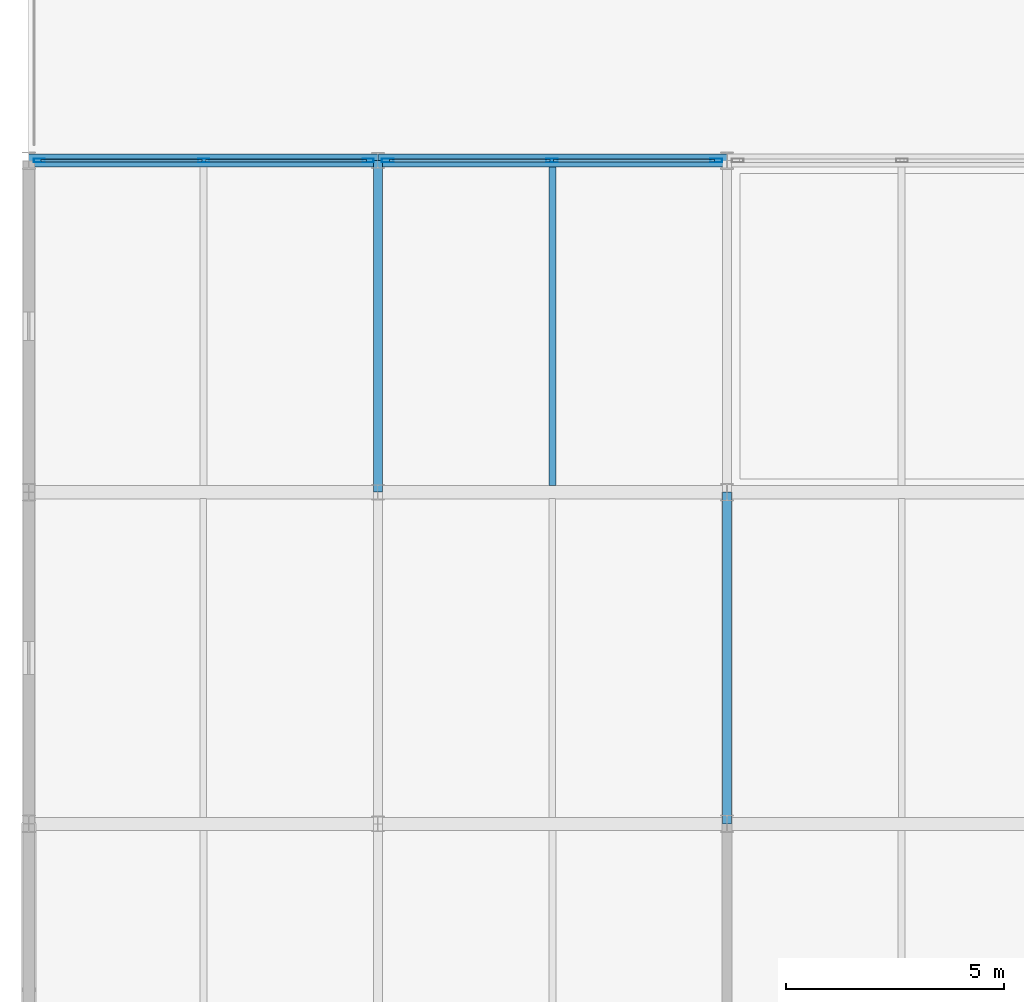
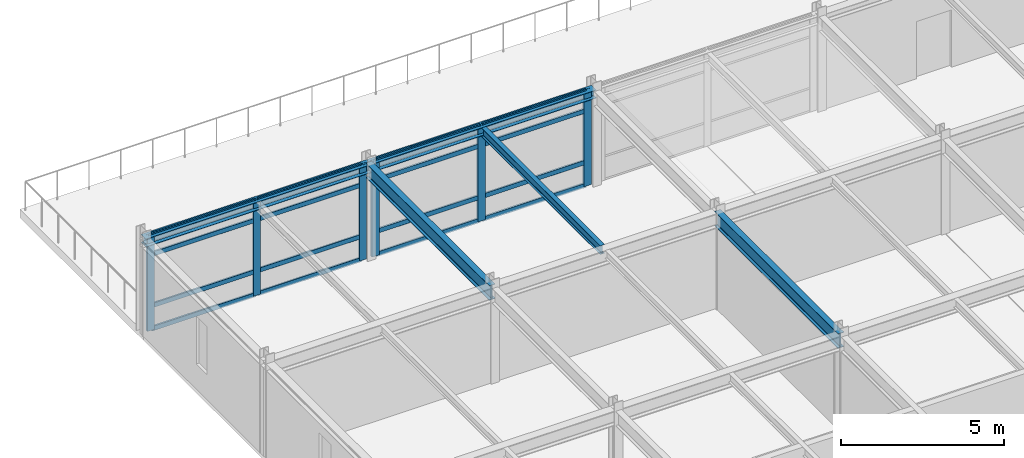
# One storey, part 4 of 12: 22 members, 5 beams, 2 elements without a shape of their own.
"""IFC4 building model written with IfcOpenShell, lengths in metres."""

from ifc_helpers import new_model, si_unit, direction, frame, origin, origin_2d, place, context, subcontext, project, spatial, hollow_rectangle, i_section, extrude, material, layer, layer_set, material_profile, profile_set, type_object, element, aggregate, save


model = new_model("IFC4")

# Units and contexts
model_context = context("Model", 3, precision=1e-05, world=origin(), true_north=direction((0.0, 1.0)))
body_context = subcontext(model_context, "Body", "Model", "MODEL_VIEW")
ifc_project = project(units=[si_unit("LENGTHUNIT", "METRE"), si_unit("AREAUNIT", "SQUARE_METRE"), si_unit("VOLUMEUNIT", "CUBIC_METRE"), si_unit("PLANEANGLEUNIT", "RADIAN"), si_unit("MASSUNIT", "GRAM", prefix="KILO")], contexts=[model_context])

# Site, building, storey
site_placement = place(None, origin())
site = spatial("IfcSite", under=ifc_project, at=site_placement, CompositionType="ELEMENT")
building_placement = place(site_placement, origin())
building = spatial("IfcBuilding", under=site, at=building_placement, Name="Shalkamar Park Central Library", CompositionType="ELEMENT")
storey_placement = place(building_placement, frame((0.0, 0.0, 56.10009765625)))
storey = spatial("IfcBuildingStorey", under=building, at=storey_placement, Name="L14", CompositionType="ELEMENT", Elevation=56.10009765625)

# Beam
ifc_material_1 = material(Name="Steel S355", Category="steel")
ifc_material_profile_1 = material_profile(ifc_material_1, i_section(OverallWidth=0.159912109375, OverallDepth=0.330078125, WebThickness=0.007568359375, FlangeThickness=0.011474609375, FilletRadius=0.01806640625, at=origin_2d()), Name="IPE 330")
ifc_profile_set_1 = profile_set([ifc_material_profile_1], Name="Steel S355")
beam_type_1 = type_object("IfcBeamType", Name="Composite Floor Joist IPE330", PredefinedType="JOIST", material=ifc_profile_set_1)
beam_1_placement = place(storey_placement, frame((177.0, 270.548095703125, 3.414794921875), z_axis=(0.0, 1.0, 0.0), x_axis=(-1.0, 0.0, 0.0)))
element("IfcBeam", 1, at=beam_1_placement, inside=storey, type_object=beam_type_1, Name="Composite Joist 08/E-1 (L14)", PredefinedType="JOIST", context=body_context, shape_type="SweptSolid", body=[
    extrude(i_section(OverallWidth=0.159912109375, OverallDepth=0.330078125, WebThickness=0.007568359375, FlangeThickness=0.011474609375, FilletRadius=0.01806640625, at=origin_2d()), origin(), (0.0, 0.0, 1.0), 7.303955078125),
])

# Curtain wall, members
ifc_material_2 = material(Name="Thermally broken aluminium and triple low-e curtain wall", Category="aluminium")
ifc_layer_1 = layer(ifc_material_2, 0.2548828125)
ifc_layer_set_1 = layer_set([ifc_layer_1], Name="UnitisedCurtainWall_97")
curtain_wall_type_1 = type_object("IfcCurtainWallType", Name="Unitised Curtain Wall 97", PredefinedType="USERDEFINED", material=ifc_layer_set_1)
curtain_wall_1_placement = place(storey_placement, origin())
curtain_wall_1 = element("IfcCurtainWall", 2, at=curtain_wall_1_placement, inside=storey, type_object=curtain_wall_type_1, Name="Unitised Curtain Wall CW-L14-151", ObjectType="UNITISED CURTAIN WALL", PredefinedType="USERDEFINED")
ifc_material_3 = material(Name="Aluminium 6060-T66", Category="aluminium")
ifc_material_profile_2 = material_profile(ifc_material_3, hollow_rectangle(XDim=0.080078125, YDim=0.2548828125, WallThickness=0.00439453125, InnerFilletRadius=0.00439453125, OuterFilletRadius=0.0068359375, at=origin_2d()), Name="ALU 80x255x4.5")
ifc_profile_set_2 = profile_set([ifc_material_profile_2], Name="Aluminium 6060-T66")
member_type_1 = type_object("IfcMemberType", Name="Curtain Wall Mullion ALU80x255", PredefinedType="MULLION", material=ifc_profile_set_2)
member_1_placement = place(storey_placement, frame((165.243896484375, 278.0, 0.0), z_axis=(0.0, 0.0, 1.0), x_axis=(0.0, 1.0, 0.0)))
member_1 = element("IfcMember", 3, at=member_1_placement, type_object=member_type_1, Name="CW-97 mullion 1", PredefinedType="MULLION", context=body_context, shape_type="SweptSolid", body=[
    extrude(hollow_rectangle(XDim=0.080078125, YDim=0.2548828125, WallThickness=0.00439453125, InnerFilletRadius=0.00439453125, OuterFilletRadius=0.0068359375, at=origin_2d()), origin(), (0.0, 0.0, 1.0), 3.579833984375),
])
member_2_placement = place(storey_placement, frame((169.010009765625, 278.0, 0.0), z_axis=(0.0, 0.0, 1.0), x_axis=(0.0, 1.0, 0.0)))
member_2 = element("IfcMember", 4, at=member_2_placement, type_object=member_type_1, Name="CW-97 mullion 2", PredefinedType="MULLION", context=body_context, shape_type="SweptSolid", body=[
    extrude(hollow_rectangle(XDim=0.080078125, YDim=0.2548828125, WallThickness=0.00439453125, InnerFilletRadius=0.00439453125, OuterFilletRadius=0.0068359375, at=origin_2d()), origin(), (0.0, 0.0, 1.0), 3.579833984375),
])
member_3_placement = place(storey_placement, frame((172.77587890625, 278.0, 0.0), z_axis=(0.0, 0.0, 1.0), x_axis=(0.0, 1.0, 0.0)))
member_3 = element("IfcMember", 5, at=member_3_placement, type_object=member_type_1, Name="CW-97 mullion 3", PredefinedType="MULLION", context=body_context, shape_type="SweptSolid", body=[
    extrude(hollow_rectangle(XDim=0.080078125, YDim=0.2548828125, WallThickness=0.00439453125, InnerFilletRadius=0.00439453125, OuterFilletRadius=0.0068359375, at=origin_2d()), origin(), (0.0, 0.0, 1.0), 3.579833984375),
])

ifc_layer_2 = layer(ifc_material_2, 0.27001953125)
ifc_layer_set_2 = layer_set([ifc_layer_2], Name="UnitisedCurtainWall_98")
curtain_wall_type_2 = type_object("IfcCurtainWallType", Name="Unitised Curtain Wall 98", PredefinedType="USERDEFINED", material=ifc_layer_set_2)
curtain_wall_2_placement = place(storey_placement, origin())
curtain_wall_2 = element("IfcCurtainWall", 6, at=curtain_wall_2_placement, inside=storey, type_object=curtain_wall_type_2, Name="Unitised Curtain Wall CW-L14-152", ObjectType="UNITISED CURTAIN WALL", PredefinedType="USERDEFINED")
ifc_material_profile_3 = material_profile(ifc_material_3, hollow_rectangle(XDim=0.080078125, YDim=0.27001953125, WallThickness=0.0048828125, InnerFilletRadius=0.0048828125, OuterFilletRadius=0.007568359375, at=origin_2d()), Name="ALU 80x270x5")
ifc_profile_set_3 = profile_set([ifc_material_profile_3], Name="Aluminium 6060-T66")
member_type_2 = type_object("IfcMemberType", Name="Curtain Wall Mullion ALU80x270", PredefinedType="MULLION", material=ifc_profile_set_3)
member_4_placement = place(storey_placement, frame((173.22412109375, 278.0, 0.0), z_axis=(0.0, 0.0, 1.0), x_axis=(0.0, 1.0, 0.0)))
member_4 = element("IfcMember", 7, at=member_4_placement, type_object=member_type_2, Name="CW-98 mullion 1", PredefinedType="MULLION", context=body_context, shape_type="SweptSolid", body=[
    extrude(hollow_rectangle(XDim=0.080078125, YDim=0.27001953125, WallThickness=0.0048828125, InnerFilletRadius=0.0048828125, OuterFilletRadius=0.007568359375, at=origin_2d()), origin(), (0.0, 0.0, 1.0), 3.579833984375),
])
member_5_placement = place(storey_placement, frame((176.989990234375, 278.0, 0.0), z_axis=(0.0, 0.0, 1.0), x_axis=(0.0, 1.0, 0.0)))
member_5 = element("IfcMember", 8, at=member_5_placement, type_object=member_type_2, Name="CW-98 mullion 2", PredefinedType="MULLION", context=body_context, shape_type="SweptSolid", body=[
    extrude(hollow_rectangle(XDim=0.080078125, YDim=0.27001953125, WallThickness=0.0048828125, InnerFilletRadius=0.0048828125, OuterFilletRadius=0.007568359375, at=origin_2d()), origin(), (0.0, 0.0, 1.0), 3.579833984375),
])
member_6_placement = place(storey_placement, frame((180.756103515625, 278.0, 0.0), z_axis=(0.0, 0.0, 1.0), x_axis=(0.0, 1.0, 0.0)))
member_6 = element("IfcMember", 9, at=member_6_placement, type_object=member_type_2, Name="CW-98 mullion 3", PredefinedType="MULLION", context=body_context, shape_type="SweptSolid", body=[
    extrude(hollow_rectangle(XDim=0.080078125, YDim=0.27001953125, WallThickness=0.0048828125, InnerFilletRadius=0.0048828125, OuterFilletRadius=0.007568359375, at=origin_2d()), origin(), (0.0, 0.0, 1.0), 3.579833984375),
])

# Member
ifc_material_profile_4 = material_profile(ifc_material_3, hollow_rectangle(XDim=0.06494140625, YDim=0.169921875, WallThickness=0.00390625, InnerFilletRadius=0.00390625, OuterFilletRadius=0.006103515625, at=origin_2d()), Name="ALU 65x170x4")
ifc_profile_set_4 = profile_set([ifc_material_profile_4], Name="Aluminium 6060-T66")
member_type_3 = type_object("IfcMemberType", Name="Curtain Wall Transom ALU65x170", PredefinedType="USERDEFINED", material=ifc_profile_set_4)
member_7_placement = place(storey_placement, frame((165.283935546875, 278.0, 0.032470703125), z_axis=(1.0, 0.0, 0.0), x_axis=(0.0, 1.0, 0.0)))
member_7 = element("IfcMember", 10, at=member_7_placement, type_object=member_type_3, Name="CW-97 transom 1.1", ObjectType="TRANSOM", PredefinedType="USERDEFINED", context=body_context, shape_type="SweptSolid", body=[
    extrude(hollow_rectangle(XDim=0.06494140625, YDim=0.169921875, WallThickness=0.00390625, InnerFilletRadius=0.00390625, OuterFilletRadius=0.006103515625, at=origin_2d()), origin(), (0.0, 0.0, 1.0), 3.68603515625),
])

member_8_placement = place(storey_placement, frame((165.283935546875, 278.0, 0.89990234375), z_axis=(1.0, 0.0, 0.0), x_axis=(0.0, 1.0, 0.0)))
member_8 = element("IfcMember", 11, at=member_8_placement, type_object=member_type_3, Name="CW-97 transom 1.2", ObjectType="TRANSOM", PredefinedType="USERDEFINED", context=body_context, shape_type="SweptSolid", body=[
    extrude(hollow_rectangle(XDim=0.06494140625, YDim=0.169921875, WallThickness=0.00390625, InnerFilletRadius=0.00390625, OuterFilletRadius=0.006103515625, at=origin_2d()), origin(), (0.0, 0.0, 1.0), 3.68603515625),
])

member_9_placement = place(storey_placement, frame((165.283935546875, 278.0, 2.829833984375), z_axis=(1.0, 0.0, 0.0), x_axis=(0.0, 1.0, 0.0)))
member_9 = element("IfcMember", 12, at=member_9_placement, type_object=member_type_3, Name="CW-97 transom 1.3", ObjectType="TRANSOM", PredefinedType="USERDEFINED", context=body_context, shape_type="SweptSolid", body=[
    extrude(hollow_rectangle(XDim=0.06494140625, YDim=0.169921875, WallThickness=0.00390625, InnerFilletRadius=0.00390625, OuterFilletRadius=0.006103515625, at=origin_2d()), origin(), (0.0, 0.0, 1.0), 3.68603515625),
])

member_10_placement = place(storey_placement, frame((165.283935546875, 278.0, 3.54736328125), z_axis=(1.0, 0.0, 0.0), x_axis=(0.0, 1.0, 0.0)))
member_10 = element("IfcMember", 13, at=member_10_placement, type_object=member_type_3, Name="CW-97 transom 1.4", ObjectType="TRANSOM", PredefinedType="USERDEFINED", context=body_context, shape_type="SweptSolid", body=[
    extrude(hollow_rectangle(XDim=0.06494140625, YDim=0.169921875, WallThickness=0.00390625, InnerFilletRadius=0.00390625, OuterFilletRadius=0.006103515625, at=origin_2d()), origin(), (0.0, 0.0, 1.0), 3.68603515625),
])

member_11_placement = place(storey_placement, frame((169.050048828125, 278.0, 0.032470703125), z_axis=(1.0, 0.0, 0.0), x_axis=(0.0, 1.0, 0.0)))
member_11 = element("IfcMember", 14, at=member_11_placement, type_object=member_type_3, Name="CW-97 transom 2.1", ObjectType="TRANSOM", PredefinedType="USERDEFINED", context=body_context, shape_type="SweptSolid", body=[
    extrude(hollow_rectangle(XDim=0.06494140625, YDim=0.169921875, WallThickness=0.00390625, InnerFilletRadius=0.00390625, OuterFilletRadius=0.006103515625, at=origin_2d()), origin(), (0.0, 0.0, 1.0), 3.68603515625),
])

member_12_placement = place(storey_placement, frame((169.050048828125, 278.0, 0.89990234375), z_axis=(1.0, 0.0, 0.0), x_axis=(0.0, 1.0, 0.0)))
member_12 = element("IfcMember", 15, at=member_12_placement, type_object=member_type_3, Name="CW-97 transom 2.2", ObjectType="TRANSOM", PredefinedType="USERDEFINED", context=body_context, shape_type="SweptSolid", body=[
    extrude(hollow_rectangle(XDim=0.06494140625, YDim=0.169921875, WallThickness=0.00390625, InnerFilletRadius=0.00390625, OuterFilletRadius=0.006103515625, at=origin_2d()), origin(), (0.0, 0.0, 1.0), 3.68603515625),
])

member_13_placement = place(storey_placement, frame((169.050048828125, 278.0, 2.829833984375), z_axis=(1.0, 0.0, 0.0), x_axis=(0.0, 1.0, 0.0)))
member_13 = element("IfcMember", 16, at=member_13_placement, type_object=member_type_3, Name="CW-97 transom 2.3", ObjectType="TRANSOM", PredefinedType="USERDEFINED", context=body_context, shape_type="SweptSolid", body=[
    extrude(hollow_rectangle(XDim=0.06494140625, YDim=0.169921875, WallThickness=0.00390625, InnerFilletRadius=0.00390625, OuterFilletRadius=0.006103515625, at=origin_2d()), origin(), (0.0, 0.0, 1.0), 3.68603515625),
])

member_14_placement = place(storey_placement, frame((169.050048828125, 278.0, 3.54736328125), z_axis=(1.0, 0.0, 0.0), x_axis=(0.0, 1.0, 0.0)))
member_14 = element("IfcMember", 17, at=member_14_placement, type_object=member_type_3, Name="CW-97 transom 2.4", ObjectType="TRANSOM", PredefinedType="USERDEFINED", context=body_context, shape_type="SweptSolid", body=[
    extrude(hollow_rectangle(XDim=0.06494140625, YDim=0.169921875, WallThickness=0.00390625, InnerFilletRadius=0.00390625, OuterFilletRadius=0.006103515625, at=origin_2d()), origin(), (0.0, 0.0, 1.0), 3.68603515625),
])

aggregate(curtain_wall_1, [member_1, member_2, member_3, member_7, member_8, member_9, member_10, member_11, member_12, member_13, member_14])

ifc_material_profile_5 = material_profile(ifc_material_3, hollow_rectangle(XDim=0.06494140625, YDim=0.175048828125, WallThickness=0.00439453125, InnerFilletRadius=0.00439453125, OuterFilletRadius=0.0068359375, at=origin_2d()), Name="ALU 65x175x4.5")
ifc_profile_set_5 = profile_set([ifc_material_profile_5], Name="Aluminium 6060-T66")
member_type_4 = type_object("IfcMemberType", Name="Curtain Wall Transom ALU65x175", PredefinedType="USERDEFINED", material=ifc_profile_set_5)
member_15_placement = place(storey_placement, frame((173.263916015625, 278.0, 0.032470703125), z_axis=(1.0, 0.0, 0.0), x_axis=(0.0, 1.0, 0.0)))
member_15 = element("IfcMember", 18, at=member_15_placement, type_object=member_type_4, Name="CW-98 transom 1.1", ObjectType="TRANSOM", PredefinedType="USERDEFINED", context=body_context, shape_type="SweptSolid", body=[
    extrude(hollow_rectangle(XDim=0.06494140625, YDim=0.175048828125, WallThickness=0.00439453125, InnerFilletRadius=0.00439453125, OuterFilletRadius=0.0068359375, at=origin_2d()), origin(), (0.0, 0.0, 1.0), 3.68603515625),
])

member_16_placement = place(storey_placement, frame((173.263916015625, 278.0, 0.89990234375), z_axis=(1.0, 0.0, 0.0), x_axis=(0.0, 1.0, 0.0)))
member_16 = element("IfcMember", 19, at=member_16_placement, type_object=member_type_4, Name="CW-98 transom 1.2", ObjectType="TRANSOM", PredefinedType="USERDEFINED", context=body_context, shape_type="SweptSolid", body=[
    extrude(hollow_rectangle(XDim=0.06494140625, YDim=0.175048828125, WallThickness=0.00439453125, InnerFilletRadius=0.00439453125, OuterFilletRadius=0.0068359375, at=origin_2d()), origin(), (0.0, 0.0, 1.0), 3.68603515625),
])

member_17_placement = place(storey_placement, frame((173.263916015625, 278.0, 2.829833984375), z_axis=(1.0, 0.0, 0.0), x_axis=(0.0, 1.0, 0.0)))
member_17 = element("IfcMember", 20, at=member_17_placement, type_object=member_type_4, Name="CW-98 transom 1.3", ObjectType="TRANSOM", PredefinedType="USERDEFINED", context=body_context, shape_type="SweptSolid", body=[
    extrude(hollow_rectangle(XDim=0.06494140625, YDim=0.175048828125, WallThickness=0.00439453125, InnerFilletRadius=0.00439453125, OuterFilletRadius=0.0068359375, at=origin_2d()), origin(), (0.0, 0.0, 1.0), 3.68603515625),
])

member_18_placement = place(storey_placement, frame((173.263916015625, 278.0, 3.54736328125), z_axis=(1.0, 0.0, 0.0), x_axis=(0.0, 1.0, 0.0)))
member_18 = element("IfcMember", 21, at=member_18_placement, type_object=member_type_4, Name="CW-98 transom 1.4", ObjectType="TRANSOM", PredefinedType="USERDEFINED", context=body_context, shape_type="SweptSolid", body=[
    extrude(hollow_rectangle(XDim=0.06494140625, YDim=0.175048828125, WallThickness=0.00439453125, InnerFilletRadius=0.00439453125, OuterFilletRadius=0.0068359375, at=origin_2d()), origin(), (0.0, 0.0, 1.0), 3.68603515625),
])

member_19_placement = place(storey_placement, frame((177.030029296875, 278.0, 0.032470703125), z_axis=(1.0, 0.0, 0.0), x_axis=(0.0, 1.0, 0.0)))
member_19 = element("IfcMember", 22, at=member_19_placement, type_object=member_type_4, Name="CW-98 transom 2.1", ObjectType="TRANSOM", PredefinedType="USERDEFINED", context=body_context, shape_type="SweptSolid", body=[
    extrude(hollow_rectangle(XDim=0.06494140625, YDim=0.175048828125, WallThickness=0.00439453125, InnerFilletRadius=0.00439453125, OuterFilletRadius=0.0068359375, at=origin_2d()), origin(), (0.0, 0.0, 1.0), 3.68603515625),
])

member_20_placement = place(storey_placement, frame((177.030029296875, 278.0, 0.89990234375), z_axis=(1.0, 0.0, 0.0), x_axis=(0.0, 1.0, 0.0)))
member_20 = element("IfcMember", 23, at=member_20_placement, type_object=member_type_4, Name="CW-98 transom 2.2", ObjectType="TRANSOM", PredefinedType="USERDEFINED", context=body_context, shape_type="SweptSolid", body=[
    extrude(hollow_rectangle(XDim=0.06494140625, YDim=0.175048828125, WallThickness=0.00439453125, InnerFilletRadius=0.00439453125, OuterFilletRadius=0.0068359375, at=origin_2d()), origin(), (0.0, 0.0, 1.0), 3.68603515625),
])

member_21_placement = place(storey_placement, frame((177.030029296875, 278.0, 2.829833984375), z_axis=(1.0, 0.0, 0.0), x_axis=(0.0, 1.0, 0.0)))
member_21 = element("IfcMember", 24, at=member_21_placement, type_object=member_type_4, Name="CW-98 transom 2.3", ObjectType="TRANSOM", PredefinedType="USERDEFINED", context=body_context, shape_type="SweptSolid", body=[
    extrude(hollow_rectangle(XDim=0.06494140625, YDim=0.175048828125, WallThickness=0.00439453125, InnerFilletRadius=0.00439453125, OuterFilletRadius=0.0068359375, at=origin_2d()), origin(), (0.0, 0.0, 1.0), 3.68603515625),
])

member_22_placement = place(storey_placement, frame((177.030029296875, 278.0, 3.54736328125), z_axis=(1.0, 0.0, 0.0), x_axis=(0.0, 1.0, 0.0)))
member_22 = element("IfcMember", 25, at=member_22_placement, type_object=member_type_4, Name="CW-98 transom 2.4", ObjectType="TRANSOM", PredefinedType="USERDEFINED", context=body_context, shape_type="SweptSolid", body=[
    extrude(hollow_rectangle(XDim=0.06494140625, YDim=0.175048828125, WallThickness=0.00439453125, InnerFilletRadius=0.00439453125, OuterFilletRadius=0.0068359375, at=origin_2d()), origin(), (0.0, 0.0, 1.0), 3.68603515625),
])

aggregate(curtain_wall_2, [member_4, member_5, member_6, member_15, member_16, member_17, member_18, member_19, member_20, member_21, member_22])

# Beams
ifc_material_profile_6 = material_profile(ifc_material_1, i_section(OverallWidth=0.300048828125, OverallDepth=0.31005859375, WebThickness=0.009033203125, FlangeThickness=0.015380859375, FilletRadius=0.027099609375, at=origin_2d()), Name="HEA 320")
ifc_profile_set_6 = profile_set([ifc_material_profile_6], Name="Steel S355")
beam_type_2 = type_object("IfcBeamType", Name="Perimeter Spandrel Beam HEA320", PredefinedType="SPANDREL", material=ifc_profile_set_6)
for number, where, z_axis, x_axis, name in (
    (26, (165.0, 278.0, 3.4248046875), (1.0, 0.0, 0.0), (0.0, 1.0, 0.0), "Beam F:07-08 (L14)"),
    (27, (173.0, 278.0, 3.4248046875), (1.0, 0.0, 0.0), (0.0, 1.0, 0.0), "Beam F:08-09 (L14)"),
):
    element("IfcBeam", number, at=place(storey_placement, frame(where, z_axis=z_axis, x_axis=x_axis)), inside=storey, type_object=beam_type_2, Name=name, PredefinedType="SPANDREL", context=body_context, shape_type="SweptSolid", body=[
        extrude(i_section(OverallWidth=0.300048828125, OverallDepth=0.31005859375, WebThickness=0.009033203125, FlangeThickness=0.015380859375, FilletRadius=0.027099609375, at=origin_2d()), origin(), (0.0, 0.0, 1.0), 8.0),
    ])
ifc_material_profile_7 = material_profile(ifc_material_1, i_section(OverallWidth=0.2099609375, OverallDepth=0.550048828125, WebThickness=0.010986328125, FlangeThickness=0.01708984375, FilletRadius=0.02392578125, at=origin_2d()), Name="IPE 550")
ifc_profile_set_7 = profile_set([ifc_material_profile_7], Name="Steel S355")
beam_type_3 = type_object("IfcBeamType", Name="Primary Girder IPE550", PredefinedType="BEAM", material=ifc_profile_set_7)
beam_2_placement = place(storey_placement, frame((173.0, 270.39990234375, 3.304931640625), z_axis=(0.0, 1.0, 0.0), x_axis=(-1.0, 0.0, 0.0)))
element("IfcBeam", 28, at=beam_2_placement, inside=storey, type_object=beam_type_3, Name="Beam 08:E-F (L14)", PredefinedType="BEAM", context=body_context, shape_type="SweptSolid", body=[
    extrude(i_section(OverallWidth=0.2099609375, OverallDepth=0.550048828125, WebThickness=0.010986328125, FlangeThickness=0.01708984375, FilletRadius=0.02392578125, at=origin_2d()), origin(), (0.0, 0.0, 1.0), 7.60009765625),
])
beam_3_placement = place(storey_placement, frame((181.0, 262.800048828125, 3.304931640625), z_axis=(0.0, 1.0, 0.0), x_axis=(-1.0, 0.0, 0.0)))
element("IfcBeam", 29, at=beam_3_placement, inside=storey, type_object=beam_type_3, Name="Beam 09:D-E (L14)", PredefinedType="BEAM", context=body_context, shape_type="SweptSolid", body=[
    extrude(i_section(OverallWidth=0.2099609375, OverallDepth=0.550048828125, WebThickness=0.010986328125, FlangeThickness=0.01708984375, FilletRadius=0.02392578125, at=origin_2d()), origin(), (0.0, 0.0, 1.0), 7.599853515625),
])

save(model, "model.ifc")
